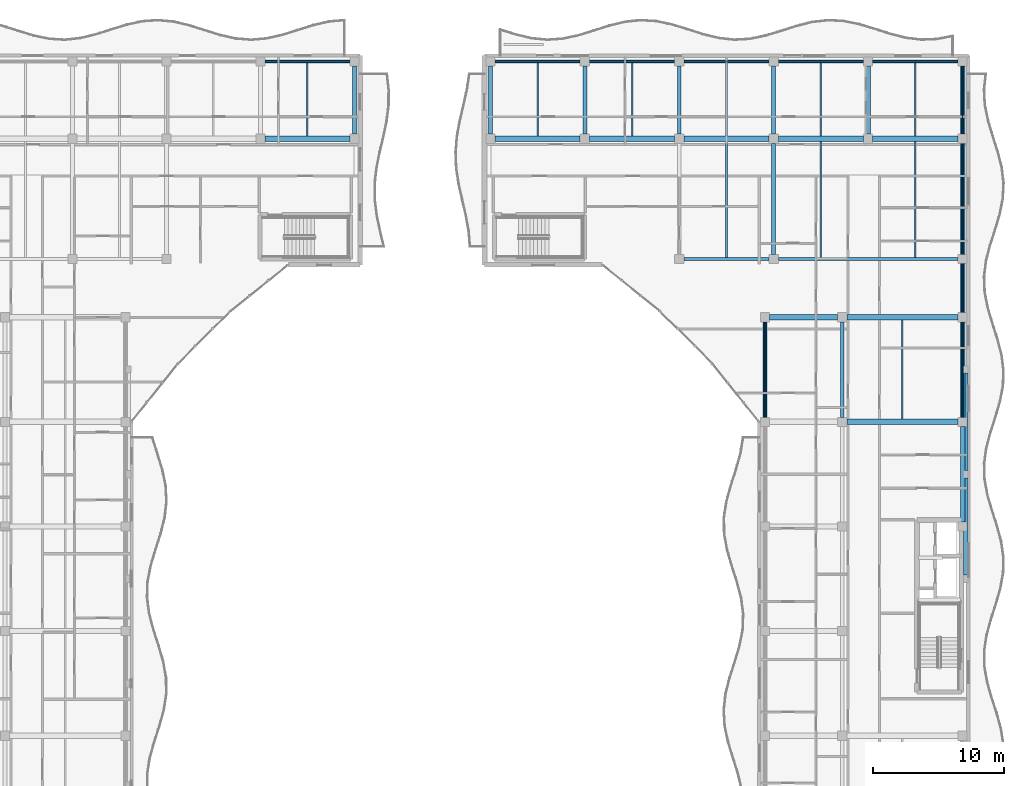
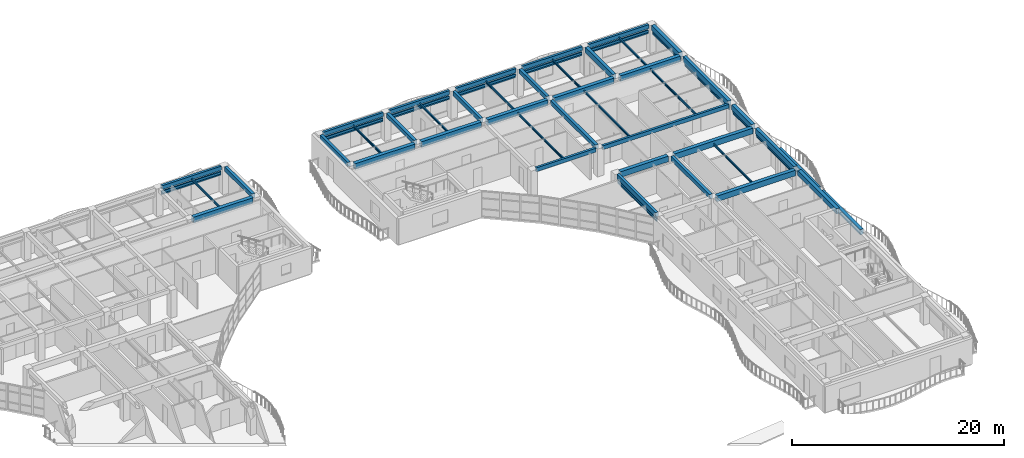
# One storey, part 68 of 128: 43 beams, 22 members.
"""IFC4 building model written with IfcOpenShell, lengths in metres."""

from ifc_helpers import new_model, si_unit, direction, frame, origin, origin_2d, place, context, subcontext, project, spatial, rectangle, hollow_rectangle, i_section, extrude, material, material_profile, profile_set, type_object, element, save


model = new_model("IFC4")

# Units and contexts
model_context = context("Model", 3, precision=1e-05, world=origin(), true_north=direction((0.0, 1.0)))
body_context = subcontext(model_context, "Body", "Model", "MODEL_VIEW")
ifc_project = project(units=[si_unit("LENGTHUNIT", "METRE"), si_unit("AREAUNIT", "SQUARE_METRE"), si_unit("VOLUMEUNIT", "CUBIC_METRE"), si_unit("PLANEANGLEUNIT", "RADIAN"), si_unit("MASSUNIT", "GRAM", prefix="KILO")], contexts=[model_context])

# Site, building, storey
site_placement = place(None, origin())
site = spatial("IfcSite", under=ifc_project, at=site_placement, CompositionType="ELEMENT")
building_placement = place(site_placement, origin())
building = spatial("IfcBuilding", under=site, at=building_placement, Name="Keldmere Railside Commons", CompositionType="ELEMENT")
storey_placement = place(building_placement, frame((0.0, 0.0, 4.159912109375)))
storey = spatial("IfcBuildingStorey", under=building, at=storey_placement, Name="L01", CompositionType="ELEMENT", Elevation=4.159912109375)

# Members
ifc_material_1 = material(Name="Steel F-36 (S355)", Category="steel")
ifc_material_profile_1 = material_profile(ifc_material_1, hollow_rectangle(XDim=0.14990234375, YDim=0.25, WallThickness=0.010009765625, at=origin_2d()), Name="RHS-250x150x10")
ifc_profile_set_1 = profile_set([ifc_material_profile_1], Name="Steel F-36 (S355)")
member_type_1 = type_object("IfcMemberType", Name="Balcony Continuous Planted Trough RHS250x150", PredefinedType="CHORD", material=ifc_profile_set_1)
member_1_placement = place(storey_placement, frame((130.217041015625, 115.550048828125, 2.4150390625), z_axis=(1.0, 0.0, 0.0), x_axis=(0.0, 1.0, 0.0)))
element("IfcMember", 1, at=member_1_placement, inside=storey, type_object=member_type_1, Name="PLT-1 MEM-BPLT-0163", PredefinedType="CHORD", context=body_context, shape_type="SweptSolid", body=[
    extrude(hollow_rectangle(XDim=0.14990234375, YDim=0.25, WallThickness=0.010009765625, at=origin_2d()), origin(), (0.0, 0.0, 1.0), 6.48291015625),
])
for number, where, z_axis, x_axis, name in (
    (2, (147.800048828125, 115.550048828125, 2.4150390625), (1.0, 0.0, 0.0), (0.0, 1.0, 0.0), "PLT-1 MEM-BPLT-0181"),
    (3, (155.02001953125, 115.550048828125, 2.4150390625), (1.0, 0.0, 0.0), (0.0, 1.0, 0.0), "PLT-1 MEM-BPLT-0183"),
    (4, (162.239990234375, 115.550048828125, 2.4150390625), (1.0, 0.0, 0.0), (0.0, 1.0, 0.0), "PLT-1 MEM-BPLT-0185"),
    (5, (169.4599609375, 115.550048828125, 2.4150390625), (1.0, 0.0, 0.0), (0.0, 1.0, 0.0), "PLT-1 MEM-BPLT-0187"),
    (6, (176.679931640625, 115.550048828125, 2.4150390625), (1.0, 0.0, 0.0), (0.0, 1.0, 0.0), "PLT-1 MEM-BPLT-0189"),
):
    element("IfcMember", number, at=place(storey_placement, frame(where, z_axis=z_axis, x_axis=x_axis)), inside=storey, type_object=member_type_1, Name=name, PredefinedType="CHORD", context=body_context, shape_type="SweptSolid", body=[
        extrude(hollow_rectangle(XDim=0.14990234375, YDim=0.25, WallThickness=0.010009765625, at=origin_2d()), origin(), (0.0, 0.0, 1.0), 6.52001953125),
    ])
for number, where, z_axis, x_axis, name in (
    (7, (168.449951171875, 88.35009765625, 2.4150390625), (0.0, 1.0, 0.0), (-1.0, 0.0, 0.0), "PLT-1 MEM-BPLT-0199"),
    (8, (183.550048828125, 88.35009765625, 2.4150390625), (0.0, 1.0, 0.0), (-1.0, 0.0, 0.0), "PLT-1 MEM-BPLT-0203"),
):
    element("IfcMember", number, at=place(storey_placement, frame(where, z_axis=z_axis, x_axis=x_axis)), inside=storey, type_object=member_type_1, Name=name, PredefinedType="CHORD", context=body_context, shape_type="SweptSolid", body=[
        extrude(hollow_rectangle(XDim=0.14990234375, YDim=0.25, WallThickness=0.010009765625, at=origin_2d()), origin(), (0.0, 0.0, 1.0), 7.2998046875),
    ])
member_2_placement = place(storey_placement, frame((183.550048828125, 96.35009765625, 2.4150390625), z_axis=(0.0, 1.0, 0.0), x_axis=(-1.0, 0.0, 0.0)))
element("IfcMember", 9, at=member_2_placement, inside=storey, type_object=member_type_1, Name="PLT-1 MEM-BPLT-0205", PredefinedType="CHORD", context=body_context, shape_type="SweptSolid", body=[
    extrude(hollow_rectangle(XDim=0.14990234375, YDim=0.25, WallThickness=0.010009765625, at=origin_2d()), origin(), (0.0, 0.0, 1.0), 3.75),
])
member_3_placement = place(storey_placement, frame((183.550048828125, 100.800048828125, 2.4150390625), z_axis=(0.0, 1.0, 0.0), x_axis=(-1.0, 0.0, 0.0)))
element("IfcMember", 10, at=member_3_placement, inside=storey, type_object=member_type_1, Name="PLT-1 MEM-BPLT-0207", PredefinedType="CHORD", context=body_context, shape_type="SweptSolid", body=[
    extrude(hollow_rectangle(XDim=0.14990234375, YDim=0.25, WallThickness=0.010009765625, at=origin_2d()), origin(), (0.0, 0.0, 1.0), 8.5),
])
member_4_placement = place(storey_placement, frame((183.550048828125, 110.0, 2.4150390625), z_axis=(0.0, 1.0, 0.0), x_axis=(-1.0, 0.0, 0.0)))
element("IfcMember", 11, at=member_4_placement, inside=storey, type_object=member_type_1, Name="PLT-1 MEM-BPLT-0209", PredefinedType="CHORD", context=body_context, shape_type="SweptSolid", body=[
    extrude(hollow_rectangle(XDim=0.14990234375, YDim=0.25, WallThickness=0.010009765625, at=origin_2d()), origin(), (0.0, 0.0, 1.0), 5.199951171875),
])

# Beams
ifc_material_profile_2 = material_profile(ifc_material_1, i_section(OverallWidth=0.1201171875, OverallDepth=0.239990234375, WebThickness=0.006103515625, FlangeThickness=0.009765625, at=origin_2d()), Name="IPE-240")
ifc_profile_set_2 = profile_set([ifc_material_profile_2], Name="Steel F-36 (S355)")
beam_type_1 = type_object("IfcBeamType", Name="Nursery & Mezzanine Steel Joist IPE240", PredefinedType="JOIST", material=ifc_profile_set_2)
beam_1_placement = place(storey_placement, frame((178.949951171875, 88.199951171875, 2.81005859375), z_axis=(0.0, 1.0, 0.0), x_axis=(-1.0, 0.0, 0.0)))
element("IfcBeam", 12, at=beam_1_placement, inside=storey, type_object=beam_type_1, Name="JST-2 BM-L01-1016", PredefinedType="JOIST", context=body_context, shape_type="SweptSolid", body=[
    extrude(i_section(OverallWidth=0.1201171875, OverallDepth=0.239990234375, WebThickness=0.006103515625, FlangeThickness=0.009765625, at=origin_2d()), origin(), (0.0, 0.0, 1.0), 7.60009765625),
])
for number, where, z_axis, x_axis, name in (
    (13, (165.5, 100.574951171875, 2.81005859375), (0.0, 1.0, 0.0), (-1.0, 0.0, 0.0), "JST-2 BM-L01-1027"),
    (14, (172.719970703125, 100.574951171875, 2.81005859375), (0.0, 1.0, 0.0), (-1.0, 0.0, 0.0), "JST-2 BM-L01-1028"),
    (15, (179.93994140625, 100.574951171875, 2.81005859375), (0.0, 1.0, 0.0), (-1.0, 0.0, 0.0), "JST-2 BM-L01-1029"),
):
    element("IfcBeam", number, at=place(storey_placement, frame(where, z_axis=z_axis, x_axis=x_axis)), inside=storey, type_object=beam_type_1, Name=name, PredefinedType="JOIST", context=body_context, shape_type="SweptSolid", body=[
        extrude(i_section(OverallWidth=0.1201171875, OverallDepth=0.239990234375, WebThickness=0.006103515625, FlangeThickness=0.009765625, at=origin_2d()), origin(), (0.0, 0.0, 1.0), 8.875),
    ])
for number, where, z_axis, x_axis, name in (
    (16, (133.458984375, 109.85009765625, 2.81005859375), (0.0, 1.0, 0.0), (-1.0, 0.0, 0.0), "JST-2 BM-L01-1043"),
    (17, (151.06005859375, 109.85009765625, 2.81005859375), (0.0, 1.0, 0.0), (-1.0, 0.0, 0.0), "JST-2 BM-L01-1044"),
    (18, (158.280029296875, 109.85009765625, 2.81005859375), (0.0, 1.0, 0.0), (-1.0, 0.0, 0.0), "JST-2 BM-L01-1045"),
    (19, (165.5, 109.85009765625, 2.81005859375), (0.0, 1.0, 0.0), (-1.0, 0.0, 0.0), "JST-2 BM-L01-1046"),
    (20, (172.719970703125, 109.85009765625, 2.81005859375), (0.0, 1.0, 0.0), (-1.0, 0.0, 0.0), "JST-2 BM-L01-1047"),
    (21, (179.93994140625, 109.85009765625, 2.81005859375), (0.0, 1.0, 0.0), (-1.0, 0.0, 0.0), "JST-2 BM-L01-1048"),
):
    element("IfcBeam", number, at=place(storey_placement, frame(where, z_axis=z_axis, x_axis=x_axis)), inside=storey, type_object=beam_type_1, Name=name, PredefinedType="JOIST", context=body_context, shape_type="SweptSolid", body=[
        extrude(i_section(OverallWidth=0.1201171875, OverallDepth=0.239990234375, WebThickness=0.006103515625, FlangeThickness=0.009765625, at=origin_2d()), origin(), (0.0, 0.0, 1.0), 5.574951171875),
    ])
ifc_material_2 = material(Name="Architectural Precast Concrete H-35 (C35/45)", Category="concrete")
ifc_material_profile_3 = material_profile(ifc_material_2, rectangle(XDim=0.25, YDim=0.449951171875, at=origin_2d()), Name="RC-250x450")
ifc_profile_set_3 = profile_set([ifc_material_profile_3], Name="Architectural Precast Concrete H-35 (C35/45)")
beam_type_2 = type_object("IfcBeamType", Name="Perimeter Precast Spandrel Beam 250x450", PredefinedType="SPANDREL", material=ifc_profile_set_3)
beam_2_placement = place(storey_placement, frame((162.239990234375, 100.449951171875, 2.97509765625), z_axis=(1.0, 0.0, 0.0), x_axis=(0.0, 1.0, 0.0)))
element("IfcBeam", 22, at=beam_2_placement, inside=storey, type_object=beam_type_2, Name="SPB-1 BM-L01-0827", PredefinedType="SPANDREL", context=body_context, shape_type="SweptSolid", body=[
    extrude(rectangle(XDim=0.25, YDim=0.449951171875, at=origin_2d()), origin(), (0.0, 0.0, 1.0), 6.52001953125),
])
beam_3_placement = place(storey_placement, frame((169.4599609375, 100.449951171875, 2.97509765625), z_axis=(1.0, 0.0, 0.0), x_axis=(0.0, 1.0, 0.0)))
element("IfcBeam", 23, at=beam_3_placement, inside=storey, type_object=beam_type_2, Name="SPB-1 BM-L01-0828", PredefinedType="SPANDREL", context=body_context, shape_type="SweptSolid", body=[
    extrude(rectangle(XDim=0.25, YDim=0.449951171875, at=origin_2d()), origin(), (0.0, 0.0, 1.0), 13.739990234375),
])
beam_4_placement = place(storey_placement, frame((130.217041015625, 115.550048828125, 2.97509765625), z_axis=(1.0, 0.0, 0.0), x_axis=(0.0, 1.0, 0.0)))
element("IfcBeam", 24, at=beam_4_placement, inside=storey, type_object=beam_type_2, Name="SPB-1 BM-L01-0861", PredefinedType="SPANDREL", context=body_context, shape_type="SweptSolid", body=[
    extrude(rectangle(XDim=0.25, YDim=0.449951171875, at=origin_2d()), origin(), (0.0, 0.0, 1.0), 6.48291015625),
])
for number, where, z_axis, x_axis, name in (
    (25, (147.800048828125, 115.550048828125, 2.97509765625), (1.0, 0.0, 0.0), (0.0, 1.0, 0.0), "SPB-1 BM-L01-0862"),
    (26, (155.02001953125, 115.550048828125, 2.97509765625), (1.0, 0.0, 0.0), (0.0, 1.0, 0.0), "SPB-1 BM-L01-0863"),
    (27, (162.239990234375, 115.550048828125, 2.97509765625), (1.0, 0.0, 0.0), (0.0, 1.0, 0.0), "SPB-1 BM-L01-0864"),
    (28, (169.4599609375, 115.550048828125, 2.97509765625), (1.0, 0.0, 0.0), (0.0, 1.0, 0.0), "SPB-1 BM-L01-0865"),
    (29, (176.679931640625, 115.550048828125, 2.97509765625), (1.0, 0.0, 0.0), (0.0, 1.0, 0.0), "SPB-1 BM-L01-0866"),
):
    element("IfcBeam", number, at=place(storey_placement, frame(where, z_axis=z_axis, x_axis=x_axis)), inside=storey, type_object=beam_type_2, Name=name, PredefinedType="SPANDREL", context=body_context, shape_type="SweptSolid", body=[
        extrude(rectangle(XDim=0.25, YDim=0.449951171875, at=origin_2d()), origin(), (0.0, 0.0, 1.0), 6.52001953125),
    ])
ifc_material_3 = material(Name="Concrete H-30 (C30/37)", Category="concrete")
ifc_material_profile_4 = material_profile(ifc_material_3, rectangle(XDim=0.35009765625, YDim=0.60009765625, at=origin_2d()), Name="RC-350x600")
ifc_profile_set_4 = profile_set([ifc_material_profile_4], Name="Concrete H-30 (C30/37)")
beam_type_3 = type_object("IfcBeamType", Name="Residential Chord RC Beam 350x600", PredefinedType="BEAM", material=ifc_profile_set_4)
beam_5_placement = place(storey_placement, frame((176.330078125, 110.0, 2.900146484375), z_axis=(0.0, 1.0, 0.0), x_axis=(-1.0, 0.0, 0.0)))
element("IfcBeam", 30, at=beam_5_placement, inside=storey, type_object=beam_type_3, Name="BG-4 BM-L01-0973", PredefinedType="BEAM", context=body_context, shape_type="SweptSolid", body=[
    extrude(rectangle(XDim=0.35009765625, YDim=0.60009765625, at=origin_2d()), origin(), (0.0, 0.0, 1.0), 5.199951171875),
])
for number, where, z_axis, x_axis, name in (
    (31, (183.550048828125, 80.35009765625, 2.900146484375), (0.0, 1.0, 0.0), (-1.0, 0.0, 0.0), "BG-4 BM-L01-0975"),
    (32, (183.550048828125, 88.35009765625, 2.900146484375), (0.0, 1.0, 0.0), (-1.0, 0.0, 0.0), "BG-4 BM-L01-0976"),
):
    element("IfcBeam", number, at=place(storey_placement, frame(where, z_axis=z_axis, x_axis=x_axis)), inside=storey, type_object=beam_type_3, Name=name, PredefinedType="BEAM", context=body_context, shape_type="SweptSolid", body=[
        extrude(rectangle(XDim=0.35009765625, YDim=0.60009765625, at=origin_2d()), origin(), (0.0, 0.0, 1.0), 7.2998046875),
    ])
beam_6_placement = place(storey_placement, frame((183.550048828125, 96.35009765625, 2.900146484375), z_axis=(0.0, 1.0, 0.0), x_axis=(-1.0, 0.0, 0.0)))
element("IfcBeam", 33, at=beam_6_placement, inside=storey, type_object=beam_type_3, Name="BG-4 BM-L01-0977", PredefinedType="BEAM", context=body_context, shape_type="SweptSolid", body=[
    extrude(rectangle(XDim=0.35009765625, YDim=0.60009765625, at=origin_2d()), origin(), (0.0, 0.0, 1.0), 3.75),
])
beam_7_placement = place(storey_placement, frame((183.550048828125, 100.800048828125, 2.900146484375), z_axis=(0.0, 1.0, 0.0), x_axis=(-1.0, 0.0, 0.0)))
element("IfcBeam", 34, at=beam_7_placement, inside=storey, type_object=beam_type_3, Name="BG-4 BM-L01-0978", PredefinedType="BEAM", context=body_context, shape_type="SweptSolid", body=[
    extrude(rectangle(XDim=0.35009765625, YDim=0.60009765625, at=origin_2d()), origin(), (0.0, 0.0, 1.0), 8.5),
])
beam_8_placement = place(storey_placement, frame((183.550048828125, 110.0, 2.900146484375), z_axis=(0.0, 1.0, 0.0), x_axis=(-1.0, 0.0, 0.0)))
element("IfcBeam", 35, at=beam_8_placement, inside=storey, type_object=beam_type_3, Name="BG-4 BM-L01-0979", PredefinedType="BEAM", context=body_context, shape_type="SweptSolid", body=[
    extrude(rectangle(XDim=0.35009765625, YDim=0.60009765625, at=origin_2d()), origin(), (0.0, 0.0, 1.0), 5.199951171875),
])
for number, where, z_axis, x_axis, name in (
    (36, (183.780029296875, 76.27490234375, 2.900146484375), (0.0, 1.0, 0.0), (-1.0, 0.0, 0.0), "BG-4 BM-L01-0980"),
    (37, (183.780029296875, 84.27490234375, 2.900146484375), (0.0, 1.0, 0.0), (-1.0, 0.0, 0.0), "BG-4 BM-L01-0981"),
):
    element("IfcBeam", number, at=place(storey_placement, frame(where, z_axis=z_axis, x_axis=x_axis)), inside=storey, type_object=beam_type_3, Name=name, PredefinedType="BEAM", context=body_context, shape_type="SweptSolid", body=[
        extrude(rectangle(XDim=0.35009765625, YDim=0.60009765625, at=origin_2d()), origin(), (0.0, 0.0, 1.0), 7.4501953125),
    ])
ifc_material_profile_5 = material_profile(ifc_material_3, rectangle(XDim=0.39990234375, YDim=0.64990234375, at=origin_2d()), Name="RC-400x650")
ifc_profile_set_5 = profile_set([ifc_material_profile_5], Name="Concrete H-30 (C30/37)")
beam_type_4 = type_object("IfcBeamType", Name="Residential Spine RC Girder 400x650", PredefinedType="BEAM", material=ifc_profile_set_5)
beam_9_placement = place(storey_placement, frame((174.699951171875, 88.0, 2.875), z_axis=(1.0, 0.0, 0.0), x_axis=(0.0, 1.0, 0.0)))
element("IfcBeam", 38, at=beam_9_placement, inside=storey, type_object=beam_type_4, Name="BG-3 BM-L01-0810", PredefinedType="BEAM", context=body_context, shape_type="SweptSolid", body=[
    extrude(rectangle(XDim=0.39990234375, YDim=0.64990234375, at=origin_2d()), origin(), (0.0, 0.0, 1.0), 8.5),
])
beam_10_placement = place(storey_placement, frame((168.800048828125, 96.0, 2.875), z_axis=(1.0, 0.0, 0.0), x_axis=(0.0, 1.0, 0.0)))
element("IfcBeam", 39, at=beam_10_placement, inside=storey, type_object=beam_type_4, Name="BG-3 BM-L01-0817", PredefinedType="BEAM", context=body_context, shape_type="SweptSolid", body=[
    extrude(rectangle(XDim=0.39990234375, YDim=0.64990234375, at=origin_2d()), origin(), (0.0, 0.0, 1.0), 5.199951171875),
])
beam_11_placement = place(storey_placement, frame((174.699951171875, 96.0, 2.875), z_axis=(1.0, 0.0, 0.0), x_axis=(0.0, 1.0, 0.0)))
element("IfcBeam", 40, at=beam_11_placement, inside=storey, type_object=beam_type_4, Name="BG-3 BM-L01-0818", PredefinedType="BEAM", context=body_context, shape_type="SweptSolid", body=[
    extrude(rectangle(XDim=0.39990234375, YDim=0.64990234375, at=origin_2d()), origin(), (0.0, 0.0, 1.0), 8.5),
])
beam_12_placement = place(storey_placement, frame((130.217041015625, 109.64990234375, 2.875), z_axis=(1.0, 0.0, 0.0), x_axis=(0.0, 1.0, 0.0)))
element("IfcBeam", 41, at=beam_12_placement, inside=storey, type_object=beam_type_4, Name="BG-3 BM-L01-0842", PredefinedType="BEAM", context=body_context, shape_type="SweptSolid", body=[
    extrude(rectangle(XDim=0.39990234375, YDim=0.64990234375, at=origin_2d()), origin(), (0.0, 0.0, 1.0), 6.48291015625),
])
for number, where, z_axis, x_axis, name in (
    (42, (147.800048828125, 109.64990234375, 2.875), (1.0, 0.0, 0.0), (0.0, 1.0, 0.0), "BG-3 BM-L01-0843"),
    (43, (155.02001953125, 109.64990234375, 2.875), (1.0, 0.0, 0.0), (0.0, 1.0, 0.0), "BG-3 BM-L01-0844"),
    (44, (162.239990234375, 109.64990234375, 2.875), (1.0, 0.0, 0.0), (0.0, 1.0, 0.0), "BG-3 BM-L01-0845"),
    (45, (169.4599609375, 109.64990234375, 2.875), (1.0, 0.0, 0.0), (0.0, 1.0, 0.0), "BG-3 BM-L01-0846"),
    (46, (176.679931640625, 109.64990234375, 2.875), (1.0, 0.0, 0.0), (0.0, 1.0, 0.0), "BG-3 BM-L01-0847"),
):
    element("IfcBeam", number, at=place(storey_placement, frame(where, z_axis=z_axis, x_axis=x_axis)), inside=storey, type_object=beam_type_4, Name=name, PredefinedType="BEAM", context=body_context, shape_type="SweptSolid", body=[
        extrude(rectangle(XDim=0.39990234375, YDim=0.64990234375, at=origin_2d()), origin(), (0.0, 0.0, 1.0), 6.52001953125),
    ])
ifc_material_profile_6 = material_profile(ifc_material_3, rectangle(XDim=0.300048828125, YDim=0.5, at=origin_2d()), Name="RC-300x500")
ifc_profile_set_6 = profile_set([ifc_material_profile_6], Name="Concrete H-30 (C30/37)")
beam_type_5 = type_object("IfcBeamType", Name="Secondary Frame RC Beam 300x500", PredefinedType="BEAM", material=ifc_profile_set_6)
for number, where, z_axis, x_axis, name in (
    (47, (137.050048828125, 110.0, 2.9501953125), (0.0, 1.0, 0.0), (-1.0, 0.0, 0.0), "BG-5 BM-L01-0944"),
    (48, (147.449951171875, 110.0, 2.9501953125), (0.0, 1.0, 0.0), (-1.0, 0.0, 0.0), "BG-5 BM-L01-0945"),
    (49, (154.669921875, 110.0, 2.9501953125), (0.0, 1.0, 0.0), (-1.0, 0.0, 0.0), "BG-5 BM-L01-0949"),
    (50, (161.889892578125, 110.0, 2.9501953125), (0.0, 1.0, 0.0), (-1.0, 0.0, 0.0), "BG-5 BM-L01-0954"),
):
    element("IfcBeam", number, at=place(storey_placement, frame(where, z_axis=z_axis, x_axis=x_axis)), inside=storey, type_object=beam_type_5, Name=name, PredefinedType="BEAM", context=body_context, shape_type="SweptSolid", body=[
        extrude(rectangle(XDim=0.300048828125, YDim=0.5, at=origin_2d()), origin(), (0.0, 0.0, 1.0), 5.199951171875),
    ])
beam_13_placement = place(storey_placement, frame((168.449951171875, 88.35009765625, 2.9501953125), z_axis=(0.0, 1.0, 0.0), x_axis=(-1.0, 0.0, 0.0)))
element("IfcBeam", 51, at=beam_13_placement, inside=storey, type_object=beam_type_5, Name="BG-5 BM-L01-0962", PredefinedType="BEAM", context=body_context, shape_type="SweptSolid", body=[
    extrude(rectangle(XDim=0.300048828125, YDim=0.5, at=origin_2d()), origin(), (0.0, 0.0, 1.0), 7.2998046875),
])
beam_14_placement = place(storey_placement, frame((169.110107421875, 100.800048828125, 2.9501953125), z_axis=(0.0, 1.0, 0.0), x_axis=(-1.0, 0.0, 0.0)))
element("IfcBeam", 52, at=beam_14_placement, inside=storey, type_object=beam_type_5, Name="BG-5 BM-L01-0963", PredefinedType="BEAM", context=body_context, shape_type="SweptSolid", body=[
    extrude(rectangle(XDim=0.300048828125, YDim=0.5, at=origin_2d()), origin(), (0.0, 0.0, 1.0), 8.5),
])
beam_15_placement = place(storey_placement, frame((169.110107421875, 110.0, 2.9501953125), z_axis=(0.0, 1.0, 0.0), x_axis=(-1.0, 0.0, 0.0)))
element("IfcBeam", 53, at=beam_15_placement, inside=storey, type_object=beam_type_5, Name="BG-5 BM-L01-0964", PredefinedType="BEAM", context=body_context, shape_type="SweptSolid", body=[
    extrude(rectangle(XDim=0.300048828125, YDim=0.5, at=origin_2d()), origin(), (0.0, 0.0, 1.0), 5.199951171875),
])
beam_16_placement = place(storey_placement, frame((174.35009765625, 88.35009765625, 2.9501953125), z_axis=(0.0, 1.0, 0.0), x_axis=(-1.0, 0.0, 0.0)))
element("IfcBeam", 54, at=beam_16_placement, inside=storey, type_object=beam_type_5, Name="BG-5 BM-L01-0969", PredefinedType="BEAM", context=body_context, shape_type="SweptSolid", body=[
    extrude(rectangle(XDim=0.300048828125, YDim=0.5, at=origin_2d()), origin(), (0.0, 0.0, 1.0), 7.2998046875),
])

# Members
ifc_material_profile_7 = material_profile(ifc_material_1, hollow_rectangle(XDim=0.10009765625, YDim=0.159912109375, WallThickness=0.008056640625, at=origin_2d()), Name="RHS-160x100x8")
ifc_profile_set_7 = profile_set([ifc_material_profile_7], Name="Steel F-36 (S355)")
member_type_2 = type_object("IfcMemberType", Name="Solar Brise-Soleil Louvre Fin RHS160x100", PredefinedType="STRUT", material=ifc_profile_set_7)
member_5_placement = place(storey_placement, frame((130.217041015625, 115.550048828125, 2.2001953125), z_axis=(1.0, 0.0, 0.0), x_axis=(0.0, 1.0, 0.0)))
element("IfcMember", 55, at=member_5_placement, inside=storey, type_object=member_type_2, Name="BSF-1 MEM-BSF-0164", PredefinedType="STRUT", context=body_context, shape_type="SweptSolid", body=[
    extrude(hollow_rectangle(XDim=0.10009765625, YDim=0.159912109375, WallThickness=0.008056640625, at=origin_2d()), origin(), (0.0, 0.0, 1.0), 6.48291015625),
])
for number, where, z_axis, x_axis, name in (
    (56, (147.800048828125, 115.550048828125, 2.2001953125), (1.0, 0.0, 0.0), (0.0, 1.0, 0.0), "BSF-1 MEM-BSF-0182"),
    (57, (155.02001953125, 115.550048828125, 2.2001953125), (1.0, 0.0, 0.0), (0.0, 1.0, 0.0), "BSF-1 MEM-BSF-0184"),
    (58, (162.239990234375, 115.550048828125, 2.2001953125), (1.0, 0.0, 0.0), (0.0, 1.0, 0.0), "BSF-1 MEM-BSF-0186"),
    (59, (169.4599609375, 115.550048828125, 2.2001953125), (1.0, 0.0, 0.0), (0.0, 1.0, 0.0), "BSF-1 MEM-BSF-0188"),
    (60, (176.679931640625, 115.550048828125, 2.2001953125), (1.0, 0.0, 0.0), (0.0, 1.0, 0.0), "BSF-1 MEM-BSF-0190"),
):
    element("IfcMember", number, at=place(storey_placement, frame(where, z_axis=z_axis, x_axis=x_axis)), inside=storey, type_object=member_type_2, Name=name, PredefinedType="STRUT", context=body_context, shape_type="SweptSolid", body=[
        extrude(hollow_rectangle(XDim=0.10009765625, YDim=0.159912109375, WallThickness=0.008056640625, at=origin_2d()), origin(), (0.0, 0.0, 1.0), 6.52001953125),
    ])
for number, where, z_axis, x_axis, name in (
    (61, (168.449951171875, 88.35009765625, 2.2001953125), (0.0, 1.0, 0.0), (-1.0, 0.0, 0.0), "BSF-1 MEM-BSF-0200"),
    (62, (183.550048828125, 88.35009765625, 2.2001953125), (0.0, 1.0, 0.0), (-1.0, 0.0, 0.0), "BSF-1 MEM-BSF-0204"),
):
    element("IfcMember", number, at=place(storey_placement, frame(where, z_axis=z_axis, x_axis=x_axis)), inside=storey, type_object=member_type_2, Name=name, PredefinedType="STRUT", context=body_context, shape_type="SweptSolid", body=[
        extrude(hollow_rectangle(XDim=0.10009765625, YDim=0.159912109375, WallThickness=0.008056640625, at=origin_2d()), origin(), (0.0, 0.0, 1.0), 7.2998046875),
    ])
member_6_placement = place(storey_placement, frame((183.550048828125, 96.35009765625, 2.2001953125), z_axis=(0.0, 1.0, 0.0), x_axis=(-1.0, 0.0, 0.0)))
element("IfcMember", 63, at=member_6_placement, inside=storey, type_object=member_type_2, Name="BSF-1 MEM-BSF-0206", PredefinedType="STRUT", context=body_context, shape_type="SweptSolid", body=[
    extrude(hollow_rectangle(XDim=0.10009765625, YDim=0.159912109375, WallThickness=0.008056640625, at=origin_2d()), origin(), (0.0, 0.0, 1.0), 3.75),
])
member_7_placement = place(storey_placement, frame((183.550048828125, 100.800048828125, 2.2001953125), z_axis=(0.0, 1.0, 0.0), x_axis=(-1.0, 0.0, 0.0)))
element("IfcMember", 64, at=member_7_placement, inside=storey, type_object=member_type_2, Name="BSF-1 MEM-BSF-0208", PredefinedType="STRUT", context=body_context, shape_type="SweptSolid", body=[
    extrude(hollow_rectangle(XDim=0.10009765625, YDim=0.159912109375, WallThickness=0.008056640625, at=origin_2d()), origin(), (0.0, 0.0, 1.0), 8.5),
])
member_8_placement = place(storey_placement, frame((183.550048828125, 110.0, 2.2001953125), z_axis=(0.0, 1.0, 0.0), x_axis=(-1.0, 0.0, 0.0)))
element("IfcMember", 65, at=member_8_placement, inside=storey, type_object=member_type_2, Name="BSF-1 MEM-BSF-0210", PredefinedType="STRUT", context=body_context, shape_type="SweptSolid", body=[
    extrude(hollow_rectangle(XDim=0.10009765625, YDim=0.159912109375, WallThickness=0.008056640625, at=origin_2d()), origin(), (0.0, 0.0, 1.0), 5.199951171875),
])

save(model, "model.ifc")
